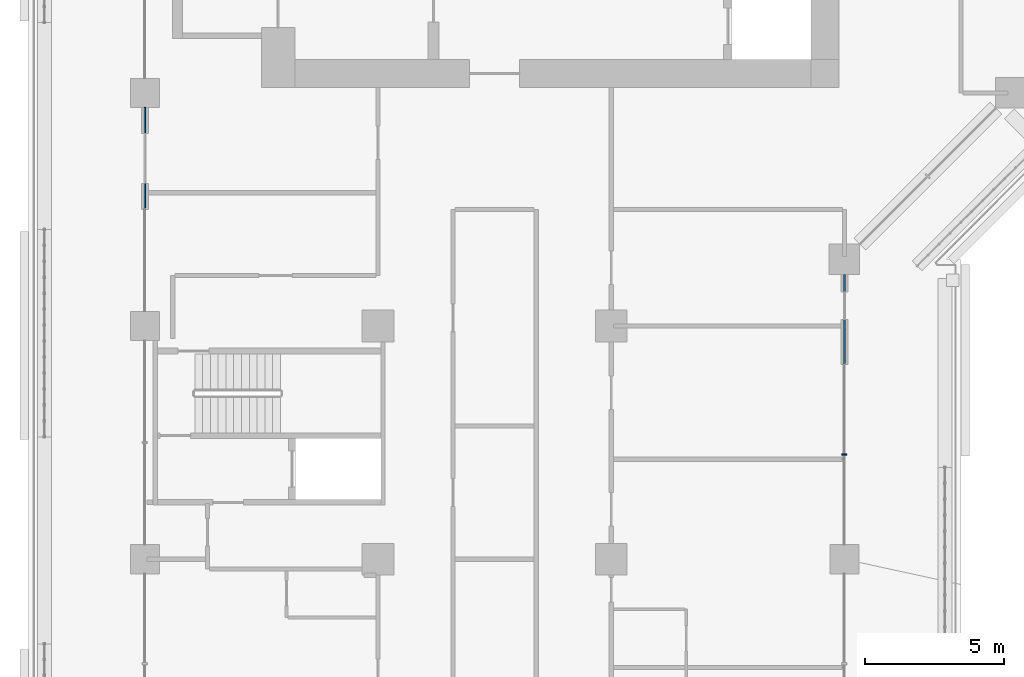
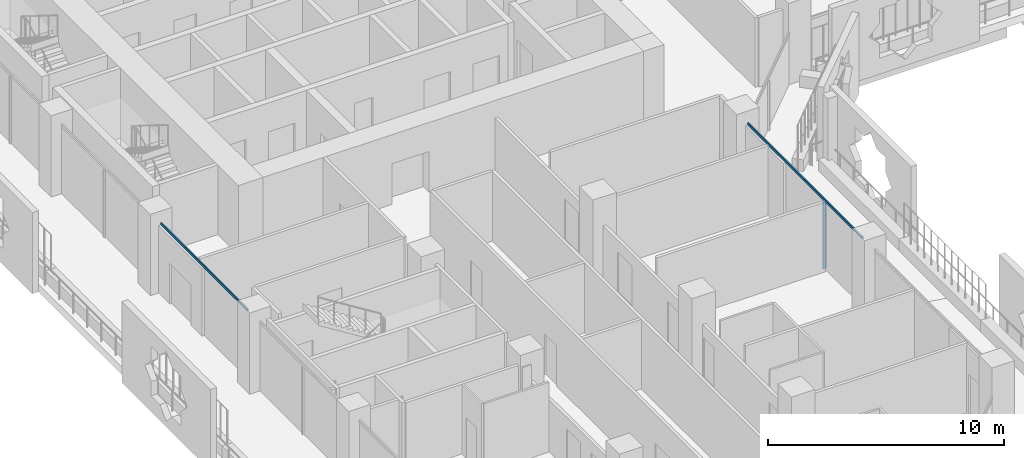
# One storey, part 3 of 25: 3 members, 2 elements without a shape of their own.
"""IFC4 building model written with IfcOpenShell, lengths in metres."""

from ifc_helpers import new_model, si_unit, direction, frame, origin, origin_2d, place, context, subcontext, project, spatial, rectangle, extrude, material, layer, layer_set, material_profile, profile_set, type_object, element, aggregate, save


model = new_model("IFC4")

# Units and contexts
model_context = context("Model", 3, precision=1e-05, world=origin(), true_north=direction((0.0, 1.0)))
body_context = subcontext(model_context, "Body", "Model", "MODEL_VIEW")
ifc_project = project(units=[si_unit("LENGTHUNIT", "METRE"), si_unit("AREAUNIT", "SQUARE_METRE"), si_unit("VOLUMEUNIT", "CUBIC_METRE"), si_unit("PLANEANGLEUNIT", "RADIAN"), si_unit("MASSUNIT", "GRAM", prefix="KILO")], contexts=[model_context])

# Site, building, storey
site_placement = place(None, origin())
site = spatial("IfcSite", under=ifc_project, at=site_placement, CompositionType="ELEMENT")
building_placement = place(site_placement, origin())
building = spatial("IfcBuilding", under=site, at=building_placement, Name="Kawkab Arch Medical Tower", CompositionType="ELEMENT")
storey_placement = place(building_placement, frame((0.0, 0.0, 145.0)))
storey = spatial("IfcBuildingStorey", under=building, at=storey_placement, Name="L33", CompositionType="ELEMENT", Elevation=145.0)

# Curtain wall, member
ifc_material_1 = material(Name="Bronze anodised aluminium curtain wall frame", Category="aluminium")
ifc_layer = layer(ifc_material_1, 0.159912109375)
ifc_layer_set = layer_set([ifc_layer], Name="Bronze anodised aluminium curtain wall frame")
curtain_wall_type = type_object("IfcCurtainWallType", Name="CW1 ward curtain wall", PredefinedType="NOTDEFINED", material=ifc_layer_set)
placement = place(storey_placement, origin())
curtain_wall_1 = element("IfcCurtainWall", 1, at=placement, inside=storey, type_object=curtain_wall_type, Name="CW1 Ward curtain wall R05", PredefinedType="NOTDEFINED")
ifc_material_2 = material(Name="Bronze anodised aluminium curtain wall frame", Category="aluminium")
ifc_material_profile_1 = material_profile(ifc_material_2, rectangle(XDim=0.179931640625, YDim=0.06005859375, at=origin_2d()), Name="AL 60x180")
ifc_profile_set_1 = profile_set([ifc_material_profile_1], Name="Bronze anodised aluminium curtain wall frame")
member_type_1 = type_object("IfcMemberType", Name="CW1 mullion 60 x 180", PredefinedType="MULLION", material=ifc_profile_set_1)
member_1_placement = place(storey_placement, frame((25.199951171875, -38.2333984375, 0.0), z_axis=(0.0, 0.0, 1.0), x_axis=(-1.0, 0.0, 0.0)))
member_1 = element("IfcMember", 2, at=member_1_placement, type_object=member_type_1, Name="CW1 mullion 2.1", PredefinedType="MULLION", context=body_context, shape_type="SweptSolid", body=[
    extrude(rectangle(XDim=0.179931640625, YDim=0.06005859375, at=origin_2d()), origin(), (0.0, 0.0, 1.0), 3.47998046875),
])

curtain_wall_2 = element("IfcCurtainWall", 3, at=placement, inside=storey, type_object=curtain_wall_type, Name="CW1 Ward curtain wall R01", PredefinedType="NOTDEFINED")
ifc_material_3 = material(Name="Bronze anodised aluminium curtain wall frame", Category="aluminium")
ifc_material_profile_2 = material_profile(ifc_material_3, rectangle(XDim=0.06005859375, YDim=0.1201171875, at=origin_2d()), Name="AL 60x120")
ifc_profile_set_2 = profile_set([ifc_material_profile_2], Name="Bronze anodised aluminium curtain wall frame")
member_type_2 = type_object("IfcMemberType", Name="CW1 transom 120 x 60", PredefinedType="USERDEFINED", material=ifc_profile_set_2)
member_2_placement = place(storey_placement, frame((0.0, -25.72509765625, 3.5400390625), z_axis=(0.0, -1.0, 0.0), x_axis=(1.0, 0.0, 0.0)))
member_2 = element("IfcMember", 4, at=member_2_placement, type_object=member_type_2, Name="CW1 transom 4", ObjectType="TRANSOM", PredefinedType="USERDEFINED", context=body_context, shape_type="SweptSolid", body=[
    extrude(rectangle(XDim=0.06005859375, YDim=0.1201171875, at=origin_2d()), origin(), (0.0, 0.0, 1.0), 7.349853515625),
])
aggregate(curtain_wall_2, [member_2])

# Member
member_3_placement = place(storey_placement, frame((25.199951171875, -41.47509765625, 3.5400390625), z_axis=(0.0, 1.0, 0.0), x_axis=(-1.0, 0.0, 0.0)))
member_3 = element("IfcMember", 5, at=member_3_placement, type_object=member_type_2, Name="CW1 transom 2", ObjectType="TRANSOM", PredefinedType="USERDEFINED", context=body_context, shape_type="SweptSolid", body=[
    extrude(rectangle(XDim=0.06005859375, YDim=0.1201171875, at=origin_2d()), origin(), (0.0, 0.0, 1.0), 9.72509765625),
])

aggregate(curtain_wall_1, [member_3, member_1])

save(model, "model.ifc")
